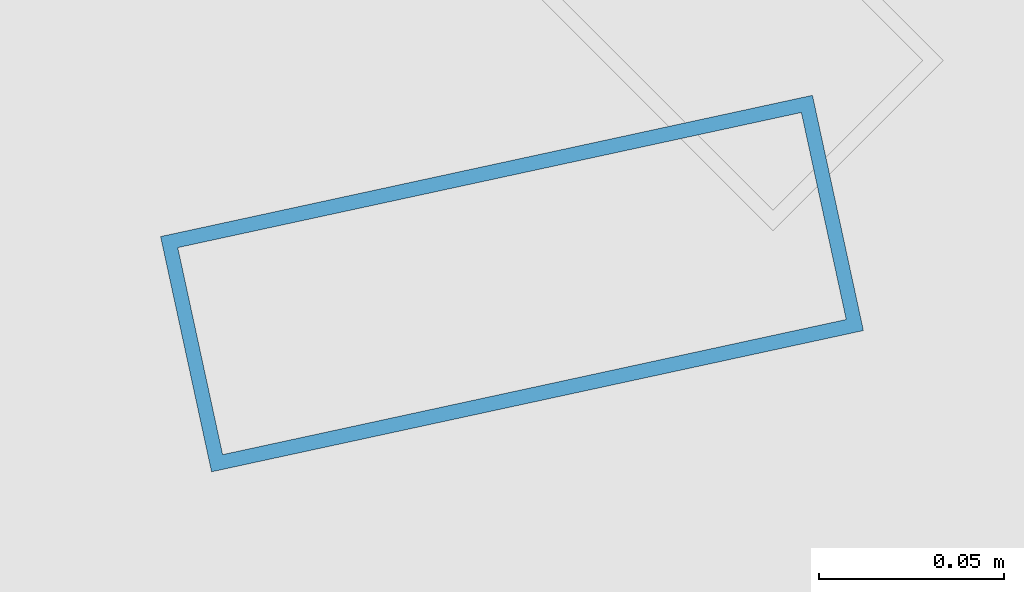
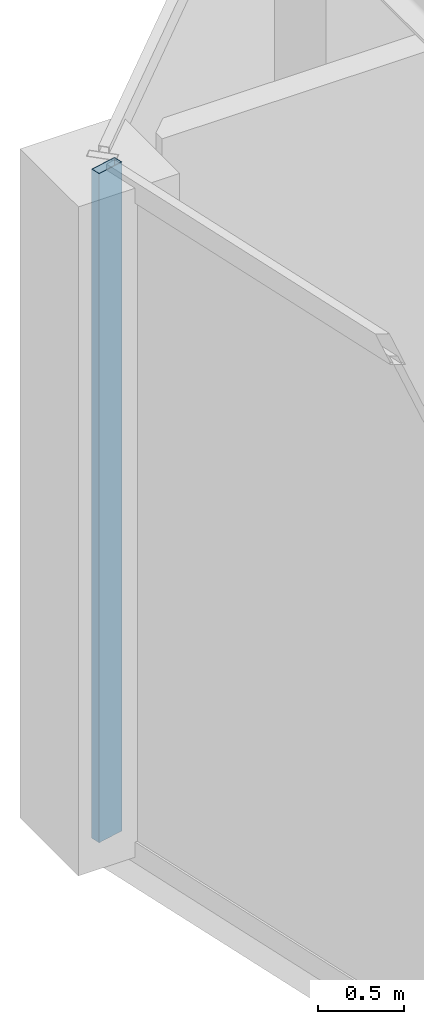
# One storey, part 4 of 20: 1 member, 1 element without a shape of its own.
"""IFC4 building model written with IfcOpenShell, lengths in metres."""

from ifc_helpers import new_model, si_unit, direction, frame, origin, origin_2d, place, context, subcontext, project, spatial, hollow_rectangle, extrude, material, material_profile, profile_set, type_object, element, aggregate, save


model = new_model("IFC4")

# Units and contexts
model_context = context("Model", 3, precision=1e-05, world=origin(), true_north=direction((0.0, 1.0)))
body_context = subcontext(model_context, "Body", "Model", "MODEL_VIEW")
ifc_project = project(units=[si_unit("LENGTHUNIT", "METRE"), si_unit("AREAUNIT", "SQUARE_METRE"), si_unit("VOLUMEUNIT", "CUBIC_METRE"), si_unit("PLANEANGLEUNIT", "RADIAN"), si_unit("MASSUNIT", "GRAM", prefix="KILO")], contexts=[model_context])

# Site, building, storey
site_placement = place(None, origin())
site = spatial("IfcSite", under=ifc_project, at=site_placement, CompositionType="ELEMENT")
building_placement = place(site_placement, origin())
building = spatial("IfcBuilding", under=site, at=building_placement, Name="Saevonmaru Cultural Tower", CompositionType="ELEMENT")
storey_placement = place(building_placement, frame((0.0, 0.0, 314.199951171875)))
storey = spatial("IfcBuildingStorey", under=building, at=storey_placement, Name="L75", CompositionType="ELEMENT", Elevation=314.199951171875)

# Curtain wall, member
ifc_material = material(Name="Satin Bronze Anodised Aluminium", Category="aluminium")
curtain_wall_type = type_object("IfcCurtainWallType", Name="CW-TYP-B", PredefinedType="NOTDEFINED", material=ifc_material)
curtain_wall_placement = place(storey_placement, origin())
curtain_wall = element("IfcCurtainWall", 1, at=curtain_wall_placement, inside=storey, type_object=curtain_wall_type, Name="L75 Wind-Floor Acoustic Louvre Screen E12", PredefinedType="NOTDEFINED")
ifc_material_profile = material_profile(ifc_material, hollow_rectangle(XDim=0.06494140625, YDim=0.179931640625, WallThickness=0.00390625, at=origin_2d()), Name="ALU-MULL-180x65x4")
ifc_profile_set = profile_set([ifc_material_profile], Name="Satin Bronze Anodised Aluminium")
member_type = type_object("IfcMemberType", Name="ML-CW-180x65", PredefinedType="MULLION", material=ifc_profile_set)
member_placement = place(storey_placement, frame((4.0126953125, 52.741455078125, 0.0), z_axis=(0.0, 0.0, 1.0), x_axis=(0.211750401587, -0.977323778196, 0.0)))
member = element("IfcMember", 2, at=member_placement, type_object=member_type, Name="CW-TW-L75-E12 mullion 1", PredefinedType="MULLION", context=body_context, shape_type="SweptSolid", body=[
    extrude(hollow_rectangle(XDim=0.06494140625, YDim=0.179931640625, WallThickness=0.00390625, at=origin_2d()), origin(), (0.0, 0.0, 1.0), 4.75),
])
aggregate(curtain_wall, [member])

save(model, "model.ifc")
